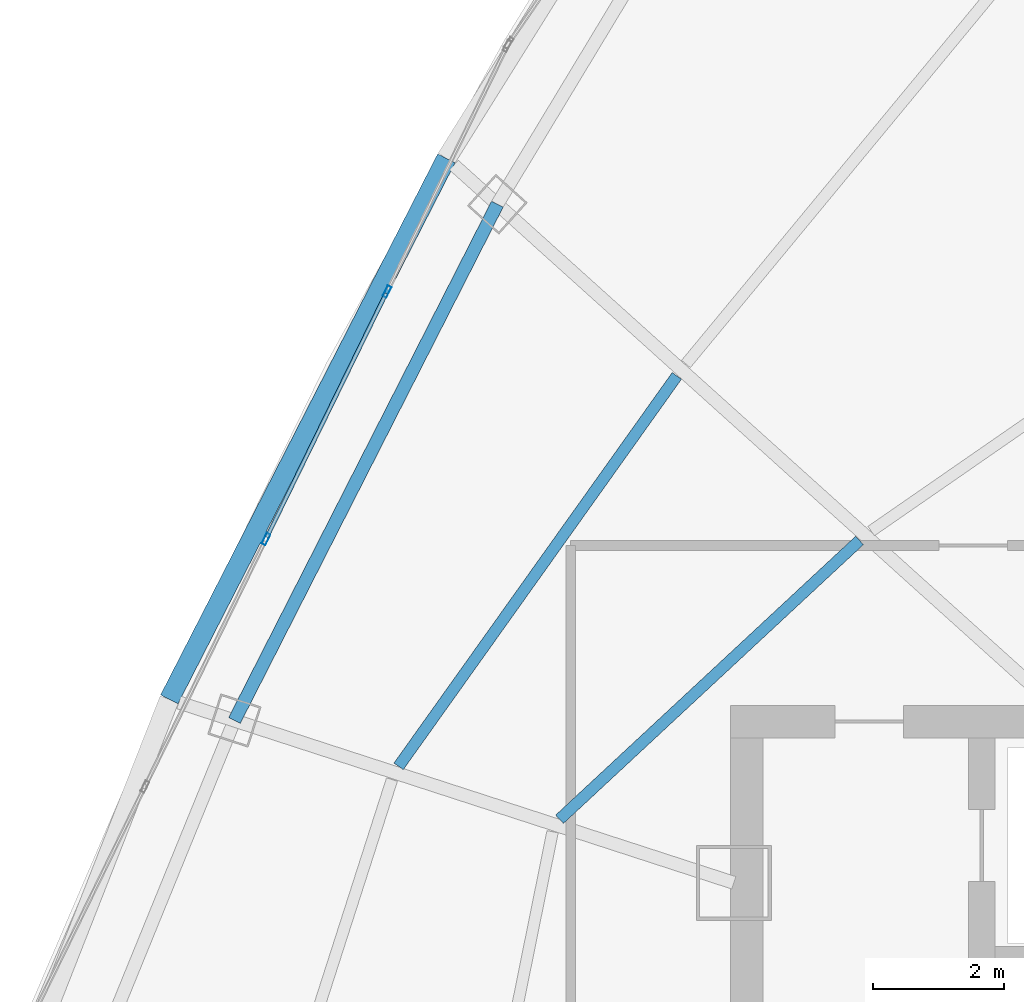
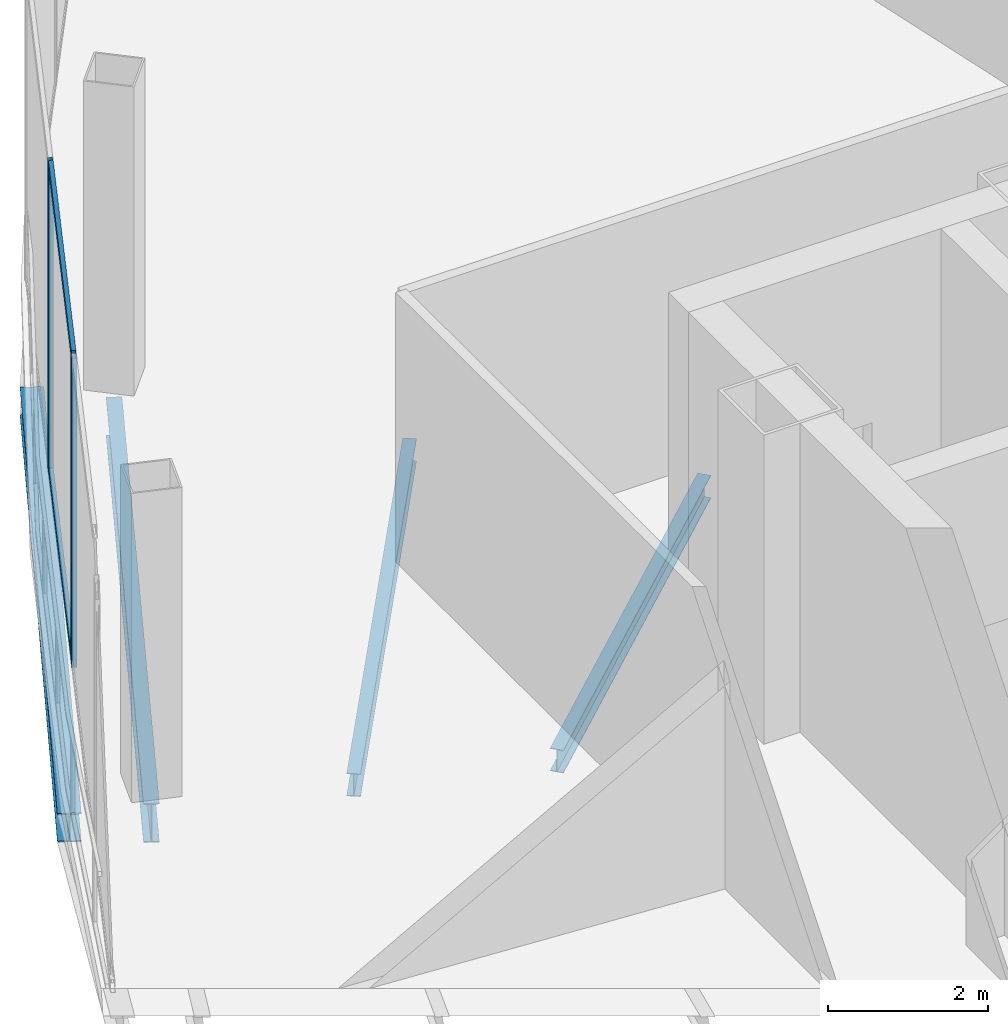
# One storey, part 10 of 33: 4 beams, 4 members, 1 element without a shape of its own.
"""IFC4 building model written with IfcOpenShell, lengths in metres."""

from ifc_helpers import new_model, si_unit, direction, frame, origin, origin_2d, place, context, subcontext, project, spatial, hollow_rectangle, i_section, extrude, source, transform, mapped, material, layer, layer_set, material_profile, profile_set, type_object, element, aggregate, save


model = new_model("IFC4")

# Units and contexts
model_context = context("Model", 3, precision=1e-05, world=origin(), true_north=direction((0.0, 1.0)))
body_context = subcontext(model_context, "Body", "Model", "MODEL_VIEW")
ifc_project = project(units=[si_unit("LENGTHUNIT", "METRE"), si_unit("AREAUNIT", "SQUARE_METRE"), si_unit("VOLUMEUNIT", "CUBIC_METRE"), si_unit("PLANEANGLEUNIT", "RADIAN"), si_unit("MASSUNIT", "GRAM", prefix="KILO"), si_unit("THERMODYNAMICTEMPERATUREUNIT", "KELVIN"), si_unit("POWERUNIT", "WATT")], contexts=[model_context])

# Site, building, storey
site_placement = place(None, origin())
site = spatial("IfcSite", under=ifc_project, at=site_placement, CompositionType="ELEMENT")
building_placement = place(site_placement, origin())
building = spatial("IfcBuilding", under=site, at=building_placement, Name="Yunzhuo Pagoda Commons", CompositionType="ELEMENT")
storey_placement = place(building_placement, frame((0.0, 0.0, 391.760009765625)))
storey = spatial("IfcBuildingStorey", under=building, at=storey_placement, Name="L97", CompositionType="ELEMENT", Elevation=391.760009765625)

# Beams
ifc_material_1 = material(Name="Structural steel Q355B", Category="steel")
ifc_material_profile_1 = material_profile(ifc_material_1, i_section(OverallWidth=0.199951171875, OverallDepth=0.60009765625, WebThickness=0.010986328125, FlangeThickness=0.01708984375, at=origin_2d()), Name="Structural steel Q355B")
ifc_profile_set_1 = profile_set([ifc_material_profile_1], Name="Structural steel Q355B")
beam_type_1 = type_object("IfcBeamType", Name="B-RG3 Beam HN 600x200x11x17", PredefinedType="BEAM", material=ifc_profile_set_1)
shared_shape_1 = source(origin(), body_context, "Body", "SweptSolid", [
    extrude(i_section(OverallWidth=0.199951171875, OverallDepth=0.60009765625, WebThickness=0.010986328125, FlangeThickness=0.01708984375, at=origin_2d()), origin(), (0.0, 0.0, 1.0), 8.87939453125),
])
beam_1_placement = place(storey_placement, frame((31.975341796875, 48.128662109375, -0.580078125), z_axis=(-0.453723535687, -0.891142498798, 0.0), x_axis=(0.891142498798, -0.453723535687, 0.0)))
element("IfcBeam", 1, at=beam_1_placement, inside=storey, type_object=beam_type_1, Name="L97 column-ring beam 10", PredefinedType="BEAM", context=body_context, shape_type="MappedRepresentation", body=[
    mapped(shared_shape_1, transform((0.0, 0.0, 0.0), scale=1.0)),
])
ifc_material_profile_2 = material_profile(ifc_material_1, i_section(OverallWidth=0.175048828125, OverallDepth=0.35009765625, WebThickness=0.007080078125, FlangeThickness=0.010986328125, at=origin_2d()), Name="Structural steel Q355B")
ifc_profile_set_2 = profile_set([ifc_material_profile_2], Name="Structural steel Q355B")
beam_type_2 = type_object("IfcBeamType", Name="B-JS2 Joist HN 350x175x7x11", PredefinedType="JOIST", material=ifc_profile_set_2)
shared_shape_2 = source(origin(), body_context, "Body", "SweptSolid", [
    extrude(i_section(OverallWidth=0.175048828125, OverallDepth=0.35009765625, WebThickness=0.007080078125, FlangeThickness=0.010986328125, at=origin_2d()), origin(), (0.0, 0.0, 1.0), 6.277099609375),
])
beam_2_placement = place(storey_placement, frame((37.526611328125, 42.97607421875, -0.455078125), z_axis=(-0.73244154109, -0.68082992655, 0.0), x_axis=(0.68082992655, -0.73244154109, 0.0)))
element("IfcBeam", 2, at=beam_2_placement, inside=storey, type_object=beam_type_2, Name="L97 composite ring joist 1.10", PredefinedType="JOIST", context=body_context, shape_type="MappedRepresentation", body=[
    mapped(shared_shape_2, transform((0.0, 0.0, 0.0), scale=1.0)),
])
shared_shape_3 = source(origin(), body_context, "Body", "SweptSolid", [
    extrude(i_section(OverallWidth=0.175048828125, OverallDepth=0.35009765625, WebThickness=0.007080078125, FlangeThickness=0.010986328125, at=origin_2d()), origin(), (0.0, 0.0, 1.0), 7.347900390625),
])
beam_3_placement = place(storey_placement, frame((34.726318359375, 45.497802734375, -0.455078125), z_axis=(-0.580294898948, -0.814406428177, 0.0), x_axis=(0.814406428177, -0.580294898948, 0.0)))
element("IfcBeam", 3, at=beam_3_placement, inside=storey, type_object=beam_type_2, Name="L97 composite ring joist 2.10", PredefinedType="JOIST", context=body_context, shape_type="MappedRepresentation", body=[
    mapped(shared_shape_3, transform((0.0, 0.0, 0.0), scale=1.0)),
])
ifc_material_profile_3 = material_profile(ifc_material_1, i_section(OverallWidth=0.300048828125, OverallDepth=0.43994140625, WebThickness=0.010986328125, FlangeThickness=0.01806640625, at=origin_2d()), Name="Structural steel Q355B")
ifc_profile_set_3 = profile_set([ifc_material_profile_3], Name="Structural steel Q355B")
beam_type_3 = type_object("IfcBeamType", Name="B-SP2 Beam HM 440x300x11x18", PredefinedType="BEAM", material=ifc_profile_set_3)
shared_shape_4 = source(origin(), body_context, "Body", "SweptSolid", [
    extrude(i_section(OverallWidth=0.300048828125, OverallDepth=0.43994140625, WebThickness=0.010986328125, FlangeThickness=0.01806640625, at=origin_2d()), origin(), (0.0, 0.0, 1.0), 9.3154296875),
])
beam_4_placement = place(storey_placement, frame((31.195068359375, 48.831298828125, -0.5), z_axis=(-0.455914353887, -0.89002365245, 0.0), x_axis=(0.89002365245, -0.455914353887, 0.0)))
element("IfcBeam", 4, at=beam_4_placement, inside=storey, type_object=beam_type_3, Name="L97 facade edge spandrel beam F3.2", PredefinedType="BEAM", context=body_context, shape_type="MappedRepresentation", body=[
    mapped(shared_shape_4, transform((0.0, 0.0, 0.0), scale=1.0)),
])

# Curtain wall, members
ifc_material_2 = material(Name="Anodized aluminium 6063-T6", Category="aluminium")
ifc_layer = layer(ifc_material_2, 0.179931640625)
ifc_layer_set = layer_set([ifc_layer], Name="Anodized aluminium 6063-T6")
curtain_wall_type = type_object("IfcCurtainWallType", Name="CW-CRN Crown Gable Glazing System", PredefinedType="NOTDEFINED", material=ifc_layer_set)
curtain_wall_placement = place(storey_placement, origin())
curtain_wall = element("IfcCurtainWall", 5, at=curtain_wall_placement, inside=storey, type_object=curtain_wall_type, Name="L97 curtain wall CW-L97-CRNF3G2", PredefinedType="NOTDEFINED")
ifc_material_profile_4 = material_profile(ifc_material_2, hollow_rectangle(XDim=0.06494140625, YDim=0.179931640625, WallThickness=0.00390625, at=origin_2d()), Name="Anodized aluminium 6063-T6")
ifc_profile_set_4 = profile_set([ifc_material_profile_4], Name="Anodized aluminium 6063-T6")
member_type_1 = type_object("IfcMemberType", Name="CW-CRN-M Mullion RHS 180x65x4", PredefinedType="MULLION", material=ifc_profile_set_4)
shared_shape_5 = source(origin(), body_context, "Body", "SweptSolid", [
    extrude(hollow_rectangle(XDim=0.06494140625, YDim=0.179931640625, WallThickness=0.00390625, at=origin_2d()), origin(), (0.0, 0.0, 1.0), 4.72021484375),
])
member_1_placement = place(storey_placement, frame((30.28515625, 46.789306640625, 0.0), z_axis=(0.0, 0.0, 1.0), x_axis=(0.898299261226, -0.439384156839, 0.0)))
member_1 = element("IfcMember", 6, at=member_1_placement, type_object=member_type_1, Name="CW mullion 2", PredefinedType="MULLION", context=body_context, shape_type="MappedRepresentation", body=[
    mapped(shared_shape_5, transform((0.0, 0.0, 0.0), scale=1.0)),
])
member_2_placement = place(storey_placement, frame((28.429931640625, 42.995849609375, 0.0), z_axis=(0.0, 0.0, 1.0), x_axis=(0.898299261226, -0.439384156839, 0.0)))
member_2 = element("IfcMember", 7, at=member_2_placement, type_object=member_type_1, Name="CW mullion 3", PredefinedType="MULLION", context=body_context, shape_type="MappedRepresentation", body=[
    mapped(shared_shape_5, transform((0.0, 0.0, 0.0), scale=1.0)),
])
ifc_material_profile_5 = material_profile(ifc_material_2, hollow_rectangle(XDim=0.06005859375, YDim=0.139892578125, WallThickness=0.00341796875, at=origin_2d()), Name="Anodized aluminium 6063-T6")
ifc_profile_set_5 = profile_set([ifc_material_profile_5], Name="Anodized aluminium 6063-T6")
member_type_2 = type_object("IfcMemberType", Name="CW-CRN-T Transom RHS 140x60x3.5", PredefinedType="USERDEFINED", material=ifc_profile_set_5)
shared_shape_6 = source(origin(), body_context, "Body", "SweptSolid", [
    extrude(hollow_rectangle(XDim=0.06005859375, YDim=0.139892578125, WallThickness=0.00341796875, at=origin_2d()), origin(), (0.0, 0.0, 1.0), 4.157470703125),
])
member_3_placement = place(storey_placement, frame((30.270751953125, 46.760009765625, 0.030029296875), z_axis=(-0.439421816361, -0.898280839886, 0.0), x_axis=(0.898280839886, -0.439421816361, 0.0)))
member_3 = element("IfcMember", 8, at=member_3_placement, type_object=member_type_2, Name="CW transom 2.1", ObjectType="TRANSOM", PredefinedType="USERDEFINED", context=body_context, shape_type="MappedRepresentation", body=[
    mapped(shared_shape_6, transform((0.0, 0.0, 0.0), scale=1.0)),
])
member_4_placement = place(storey_placement, frame((30.270751953125, 46.760009765625, 4.68994140625), z_axis=(-0.439421816361, -0.898280839886, 0.0), x_axis=(0.898280839886, -0.439421816361, 0.0)))
member_4 = element("IfcMember", 9, at=member_4_placement, type_object=member_type_2, Name="CW transom 2.2", ObjectType="TRANSOM", PredefinedType="USERDEFINED", context=body_context, shape_type="MappedRepresentation", body=[
    mapped(shared_shape_6, transform((0.0, 0.0, 0.0), scale=1.0)),
])
aggregate(curtain_wall, [member_1, member_2, member_3, member_4])

save(model, "model.ifc")
